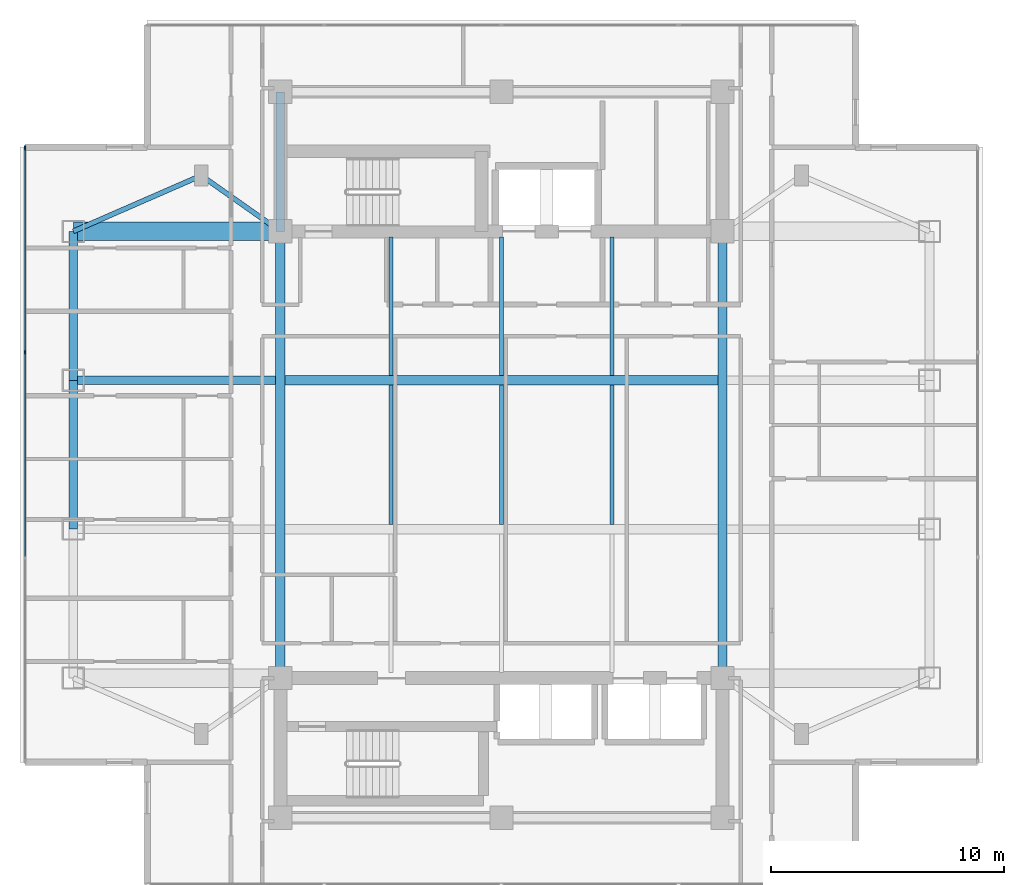
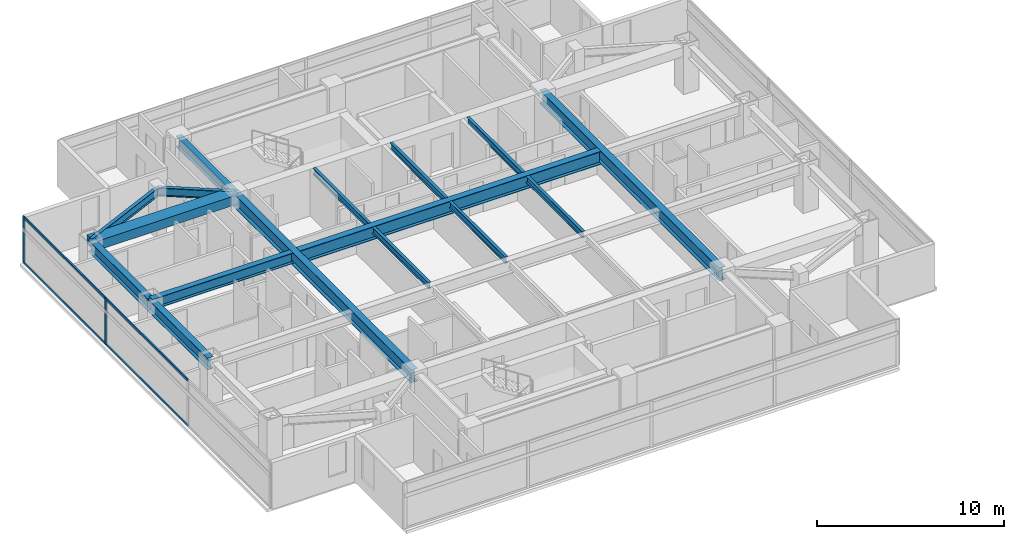
# One storey, part 3 of 24: 16 beams, 6 members, 1 element without a shape of its own.
"""IFC4 building model written with IfcOpenShell, lengths in metres."""

from ifc_helpers import new_model, si_unit, direction, frame, origin, origin_2d, place, context, subcontext, project, spatial, rectangle, i_section, extrude, material, material_profile, profile_set, type_object, element, aggregate, save


model = new_model("IFC4")

# Units and contexts
model_context = context("Model", 3, precision=1e-05, world=origin(), true_north=direction((0.0, 1.0)))
body_context = subcontext(model_context, "Body", "Model", "MODEL_VIEW")
ifc_project = project(units=[si_unit("LENGTHUNIT", "METRE"), si_unit("AREAUNIT", "SQUARE_METRE"), si_unit("VOLUMEUNIT", "CUBIC_METRE"), si_unit("PLANEANGLEUNIT", "RADIAN"), si_unit("MASSUNIT", "GRAM", prefix="KILO")], contexts=[model_context])

# Site, building, storey
site_placement = place(None, origin())
site = spatial("IfcSite", under=ifc_project, at=site_placement, CompositionType="ELEMENT")
building_placement = place(site_placement, origin())
building = spatial("IfcBuilding", under=site, at=building_placement, Name="Mirazonda Arch Towers", CompositionType="ELEMENT")
storey_placement = place(building_placement, frame((0.0, 0.0, 164.14990234375)))
storey = spatial("IfcBuildingStorey", under=building, at=storey_placement, Name="L46", CompositionType="ELEMENT", Elevation=164.14990234375)

# Beams
ifc_material_1 = material(Name="Steel ASTM A992 Grade 50", Category="steel")
ifc_material_profile_1 = material_profile(ifc_material_1, i_section(OverallWidth=0.381103515625, OverallDepth=0.77294921875, WebThickness=0.0166015625, FlangeThickness=0.027099609375, at=origin_2d()), Name="W30X173")
ifc_profile_set_1 = profile_set([ifc_material_profile_1], Name="Steel ASTM A992 Grade 50")
beam_type_1 = type_object("IfcBeamType", Name="BM-EXT-W30X173", PredefinedType="USERDEFINED", material=ifc_profile_set_1)
beam_1_placement = place(storey_placement, frame((2.10009765625, 24.800048828125, 2.66357421875), z_axis=(0.0, 1.0, 0.0), x_axis=(-1.0, 0.0, 0.0)))
element("IfcBeam", 1, at=beam_1_placement, inside=storey, type_object=beam_type_1, Name="L46 Floor Beam BM-T1-L46-NS-W-24", ObjectType="GIRDER", PredefinedType="USERDEFINED", context=body_context, shape_type="SweptSolid", body=[
    extrude(i_section(OverallWidth=0.381103515625, OverallDepth=0.77294921875, WebThickness=0.0166015625, FlangeThickness=0.027099609375, at=origin_2d()), origin(), (0.0, 0.0, 1.0), 6.39990234375),
])
beam_2_placement = place(storey_placement, frame((2.10009765625, 31.199951171875, 2.66357421875), z_axis=(0.0, 1.0, 0.0), x_axis=(-1.0, 0.0, 0.0)))
element("IfcBeam", 2, at=beam_2_placement, inside=storey, type_object=beam_type_1, Name="L46 Floor Beam BM-T1-L46-NS-W-31", ObjectType="GIRDER", PredefinedType="USERDEFINED", context=body_context, shape_type="SweptSolid", body=[
    extrude(i_section(OverallWidth=0.381103515625, OverallDepth=0.77294921875, WebThickness=0.0166015625, FlangeThickness=0.027099609375, at=origin_2d()), origin(), (0.0, 0.0, 1.0), 6.400146484375),
])
ifc_material_profile_2 = material_profile(ifc_material_1, i_section(OverallWidth=0.180908203125, OverallDepth=0.4169921875, WebThickness=0.010986328125, FlangeThickness=0.018310546875, at=origin_2d()), Name="W16X57")
ifc_profile_set_2 = profile_set([ifc_material_profile_2], Name="Steel ASTM A992 Grade 50")
beam_type_2 = type_object("IfcBeamType", Name="BM-INT-W16X57", PredefinedType="JOIST", material=ifc_profile_set_2)
beam_3_placement = place(storey_placement, frame((15.75, 31.39599609375, 2.841552734375), z_axis=(0.0, 1.0, 0.0), x_axis=(-1.0, 0.0, 0.0)))
element("IfcBeam", 3, at=beam_3_placement, inside=storey, type_object=beam_type_2, Name="L46 Floor Beam BM-T1-L46-J-157-31", PredefinedType="JOIST", context=body_context, shape_type="SweptSolid", body=[
    extrude(i_section(OverallWidth=0.180908203125, OverallDepth=0.4169921875, WebThickness=0.010986328125, FlangeThickness=0.018310546875, at=origin_2d()), origin(), (0.0, 0.0, 1.0), 5.964111328125),
])
beam_4_placement = place(storey_placement, frame((15.75, 24.99609375, 2.841552734375), z_axis=(0.0, 1.0, 0.0), x_axis=(-1.0, 0.0, 0.0)))
element("IfcBeam", 4, at=beam_4_placement, inside=storey, type_object=beam_type_2, Name="L46 Floor Beam BM-T1-L46-J-157-24", PredefinedType="JOIST", context=body_context, shape_type="SweptSolid", body=[
    extrude(i_section(OverallWidth=0.180908203125, OverallDepth=0.4169921875, WebThickness=0.010986328125, FlangeThickness=0.018310546875, at=origin_2d()), origin(), (0.0, 0.0, 1.0), 6.0078125),
])
beam_5_placement = place(storey_placement, frame((20.5, 31.39599609375, 2.841552734375), z_axis=(0.0, 1.0, 0.0), x_axis=(-1.0, 0.0, 0.0)))
element("IfcBeam", 5, at=beam_5_placement, inside=storey, type_object=beam_type_2, Name="L46 Floor Beam BM-T1-L46-J-205-31", PredefinedType="JOIST", context=body_context, shape_type="SweptSolid", body=[
    extrude(i_section(OverallWidth=0.180908203125, OverallDepth=0.4169921875, WebThickness=0.010986328125, FlangeThickness=0.018310546875, at=origin_2d()), origin(), (0.0, 0.0, 1.0), 5.964111328125),
])
beam_6_placement = place(storey_placement, frame((20.5, 24.99609375, 2.841552734375), z_axis=(0.0, 1.0, 0.0), x_axis=(-1.0, 0.0, 0.0)))
element("IfcBeam", 6, at=beam_6_placement, inside=storey, type_object=beam_type_2, Name="L46 Floor Beam BM-T1-L46-J-205-24", PredefinedType="JOIST", context=body_context, shape_type="SweptSolid", body=[
    extrude(i_section(OverallWidth=0.180908203125, OverallDepth=0.4169921875, WebThickness=0.010986328125, FlangeThickness=0.018310546875, at=origin_2d()), origin(), (0.0, 0.0, 1.0), 6.0078125),
])
beam_7_placement = place(storey_placement, frame((25.25, 31.39599609375, 2.841552734375), z_axis=(0.0, 1.0, 0.0), x_axis=(-1.0, 0.0, 0.0)))
element("IfcBeam", 7, at=beam_7_placement, inside=storey, type_object=beam_type_2, Name="L46 Floor Beam BM-T1-L46-J-252-31", PredefinedType="JOIST", context=body_context, shape_type="SweptSolid", body=[
    extrude(i_section(OverallWidth=0.180908203125, OverallDepth=0.4169921875, WebThickness=0.010986328125, FlangeThickness=0.018310546875, at=origin_2d()), origin(), (0.0, 0.0, 1.0), 5.964111328125),
])
beam_8_placement = place(storey_placement, frame((25.25, 24.99609375, 2.841552734375), z_axis=(0.0, 1.0, 0.0), x_axis=(-1.0, 0.0, 0.0)))
element("IfcBeam", 8, at=beam_8_placement, inside=storey, type_object=beam_type_2, Name="L46 Floor Beam BM-T1-L46-J-252-24", PredefinedType="JOIST", context=body_context, shape_type="SweptSolid", body=[
    extrude(i_section(OverallWidth=0.180908203125, OverallDepth=0.4169921875, WebThickness=0.010986328125, FlangeThickness=0.018310546875, at=origin_2d()), origin(), (0.0, 0.0, 1.0), 6.0078125),
])
ifc_material_profile_3 = material_profile(ifc_material_1, i_section(OverallWidth=0.214111328125, OverallDepth=0.549072265625, WebThickness=0.0146484375, FlangeThickness=0.023681640625, at=origin_2d()), Name="W21X93")
ifc_profile_set_3 = profile_set([ifc_material_profile_3], Name="Steel ASTM A992 Grade 50")
beam_type_3 = type_object("IfcBeamType", Name="BM-INT-W21X93", PredefinedType="BEAM", material=ifc_profile_set_3)
beam_9_placement = place(storey_placement, frame((7.60009765625, 40.0, 2.775634765625), z_axis=(0.816971114901, -0.576678591087, 0.0), x_axis=(0.576678591087, 0.816971114901, 0.0)))
element("IfcBeam", 9, at=beam_9_placement, inside=storey, type_object=beam_type_3, Name="L46 Floor Beam BM-T1-L46-PL-NW1", PredefinedType="BEAM", context=body_context, shape_type="SweptSolid", body=[
    extrude(i_section(OverallWidth=0.214111328125, OverallDepth=0.549072265625, WebThickness=0.0146484375, FlangeThickness=0.023681640625, at=origin_2d()), origin(), (0.0, 0.0, 1.0), 4.16162109375),
])
beam_10_placement = place(storey_placement, frame((7.60009765625, 40.0, 2.775634765625), z_axis=(-0.916545343703, -0.399930785183, 0.0), x_axis=(0.399930785183, -0.916545343703, 0.0)))
element("IfcBeam", 10, at=beam_10_placement, inside=storey, type_object=beam_type_3, Name="L46 Floor Beam BM-T1-L46-PL-NW2", PredefinedType="BEAM", context=body_context, shape_type="SweptSolid", body=[
    extrude(i_section(OverallWidth=0.214111328125, OverallDepth=0.549072265625, WebThickness=0.0146484375, FlangeThickness=0.023681640625, at=origin_2d()), origin(), (0.0, 0.0, 1.0), 6.000732421875),
])
ifc_material_profile_4 = material_profile(ifc_material_1, i_section(OverallWidth=0.35498046875, OverallDepth=0.696044921875, WebThickness=0.015380859375, FlangeThickness=0.02490234375, at=origin_2d()), Name="W27X146")
ifc_profile_set_4 = profile_set([ifc_material_profile_4], Name="Steel ASTM A992 Grade 50")
beam_type_4 = type_object("IfcBeamType", Name="BM-INT-W27X146", PredefinedType="BEAM", material=ifc_profile_set_4)
beam_11_placement = place(storey_placement, frame((2.10009765625, 31.199951171875, 2.7021484375), z_axis=(1.0, 0.0, 0.0), x_axis=(0.0, 1.0, 0.0)))
element("IfcBeam", 11, at=beam_11_placement, inside=storey, type_object=beam_type_4, Name="L46 Floor Beam BM-T1-L46-GW3", PredefinedType="BEAM", context=body_context, shape_type="SweptSolid", body=[
    extrude(i_section(OverallWidth=0.35498046875, OverallDepth=0.696044921875, WebThickness=0.015380859375, FlangeThickness=0.02490234375, at=origin_2d()), origin(), (0.0, 0.0, 1.0), 8.699951171875),
])
beam_12_placement = place(storey_placement, frame((11.0, 37.60009765625, 2.7021484375), z_axis=(0.0, 1.0, 0.0), x_axis=(-1.0, 0.0, 0.0)))
element("IfcBeam", 12, at=beam_12_placement, inside=storey, type_object=beam_type_4, Name="L46 Floor Beam BM-T1-L46-CNW", PredefinedType="BEAM", context=body_context, shape_type="SweptSolid", body=[
    extrude(i_section(OverallWidth=0.35498046875, OverallDepth=0.696044921875, WebThickness=0.015380859375, FlangeThickness=0.02490234375, at=origin_2d()), origin(), (0.0, 0.0, 1.0), 6.0),
])
ifc_material_profile_5 = material_profile(ifc_material_1, i_section(OverallWidth=0.39990234375, OverallDepth=0.85595703125, WebThickness=0.018310546875, FlangeThickness=0.029296875, at=origin_2d()), Name="W33X201")
ifc_profile_set_5 = profile_set([ifc_material_profile_5], Name="Steel ASTM A992 Grade 50")
beam_type_5 = type_object("IfcBeamType", Name="BM-INT-W33X201", PredefinedType="USERDEFINED", material=ifc_profile_set_5)
beam_13_placement = place(storey_placement, frame((11.199951171875, 31.199951171875, 2.6220703125), z_axis=(1.0, 0.0, 0.0), x_axis=(0.0, 1.0, 0.0)))
element("IfcBeam", 13, at=beam_13_placement, inside=storey, type_object=beam_type_5, Name="L46 Floor Beam BM-T1-L46-GC3", ObjectType="GIRDER", PredefinedType="USERDEFINED", context=body_context, shape_type="SweptSolid", body=[
    extrude(i_section(OverallWidth=0.39990234375, OverallDepth=0.85595703125, WebThickness=0.018310546875, FlangeThickness=0.029296875, at=origin_2d()), origin(), (0.0, 0.0, 1.0), 18.60009765625),
])
for number, where, z_axis, x_axis, name in (
    (14, (11.0, 18.39990234375, 2.6220703125), (0.0, 1.0, 0.0), (-1.0, 0.0, 0.0), "L46 Floor Beam BM-T1-L46-NS-CW-FULL"),
    (15, (30.0, 18.39990234375, 2.6220703125), (0.0, 1.0, 0.0), (-1.0, 0.0, 0.0), "L46 Floor Beam BM-T1-L46-NS-CE-FULL"),
):
    element("IfcBeam", number, at=place(storey_placement, frame(where, z_axis=z_axis, x_axis=x_axis)), inside=storey, type_object=beam_type_5, Name=name, ObjectType="GIRDER", PredefinedType="USERDEFINED", context=body_context, shape_type="SweptSolid", body=[
        extrude(i_section(OverallWidth=0.39990234375, OverallDepth=0.85595703125, WebThickness=0.018310546875, FlangeThickness=0.029296875, at=origin_2d()), origin(), (0.0, 0.0, 1.0), 19.2001953125),
    ])
ifc_material_2 = material(Name="Concrete C60/75", Category="concrete")
ifc_material_profile_6 = material_profile(ifc_material_2, rectangle(XDim=0.800048828125, YDim=0.60009765625, at=origin_2d()), Name="RCCB800x600")
ifc_profile_set_6 = profile_set([ifc_material_profile_6], Name="Concrete C60/75")
beam_type_6 = type_object("IfcBeamType", Name="CB-INT-RCCB800x600", PredefinedType="SPANDREL", material=ifc_profile_set_6)
beam_14_placement = place(storey_placement, frame((2.10009765625, 37.60009765625, 2.75), z_axis=(1.0, 0.0, 0.0), x_axis=(0.0, 1.0, 0.0)))
element("IfcBeam", 16, at=beam_14_placement, inside=storey, type_object=beam_type_6, Name="L46 Floor Beam CBC-T1-L46-NW", PredefinedType="SPANDREL", context=body_context, shape_type="SweptSolid", body=[
    extrude(rectangle(XDim=0.800048828125, YDim=0.60009765625, at=origin_2d()), origin(), (0.0, 0.0, 1.0), 8.89990234375),
])

# Curtain wall, members
ifc_material_3 = material(Name="Anodised Aluminium and Low-E Glass", Category="aluminium")
curtain_wall_type = type_object("IfcCurtainWallType", Name="CW-RES-UNIT", PredefinedType="NOTDEFINED", material=ifc_material_3)
curtain_wall_placement = place(storey_placement, origin())
curtain_wall = element("IfcCurtainWall", 17, at=curtain_wall_placement, inside=storey, type_object=curtain_wall_type, Name="L46 T1 W Facade CW-L46-T1-W", PredefinedType="NOTDEFINED")
ifc_material_4 = material(Name="Anodised Aluminium Alloy", Category="aluminium")
ifc_material_profile_7 = material_profile(ifc_material_4, rectangle(XDim=0.074951171875, YDim=0.175048828125, at=origin_2d()), Name="ALU-MULL-75x175")
ifc_profile_set_7 = profile_set([ifc_material_profile_7], Name="Anodised Aluminium Alloy")
member_type_1 = type_object("IfcMemberType", Name="MULL-CW-RES-UNIT", PredefinedType="MULLION", material=ifc_profile_set_7)
member_1_placement = place(storey_placement, frame((0.030029296875, 41.181396484375, 0.0), z_axis=(0.0, 0.0, 1.0), x_axis=(1.0, 0.0, 0.0)))
member_1 = element("IfcMember", 18, at=member_1_placement, type_object=member_type_1, Name="CW-104 mullion 1", PredefinedType="MULLION", context=body_context, shape_type="SweptSolid", body=[
    extrude(rectangle(XDim=0.074951171875, YDim=0.175048828125, at=origin_2d()), origin(), (0.0, 0.0, 1.0), 3.030029296875),
])
member_2_placement = place(storey_placement, frame((0.030029296875, 32.40625, 0.0), z_axis=(0.0, 0.0, 1.0), x_axis=(1.0, 0.0, 0.0)))
member_2 = element("IfcMember", 19, at=member_2_placement, type_object=member_type_1, Name="CW-104 mullion 2", PredefinedType="MULLION", context=body_context, shape_type="SweptSolid", body=[
    extrude(rectangle(XDim=0.074951171875, YDim=0.175048828125, at=origin_2d()), origin(), (0.0, 0.0, 1.0), 3.030029296875),
])
ifc_material_profile_8 = material_profile(ifc_material_4, rectangle(XDim=0.074951171875, YDim=0.155029296875, at=origin_2d()), Name="ALU-TRAN-75x155")
ifc_profile_set_8 = profile_set([ifc_material_profile_8], Name="Anodised Aluminium Alloy")
member_type_2 = type_object("IfcMemberType", Name="TRAN-CW-RES-UNIT", PredefinedType="USERDEFINED", material=ifc_profile_set_8)
member_3_placement = place(storey_placement, frame((0.030029296875, 41.14404296875, 0.03759765625), z_axis=(0.0, -1.0, 0.0), x_axis=(1.0, 0.0, 0.0)))
member_3 = element("IfcMember", 20, at=member_3_placement, type_object=member_type_2, Name="CW-104 transom 1.1", ObjectType="TRANSOM", PredefinedType="USERDEFINED", context=body_context, shape_type="SweptSolid", body=[
    extrude(rectangle(XDim=0.074951171875, YDim=0.155029296875, at=origin_2d()), origin(), (0.0, 0.0, 1.0), 8.7001953125),
])
member_4_placement = place(storey_placement, frame((0.030029296875, 41.14404296875, 2.99267578125), z_axis=(0.0, -1.0, 0.0), x_axis=(1.0, 0.0, 0.0)))
member_4 = element("IfcMember", 21, at=member_4_placement, type_object=member_type_2, Name="CW-104 transom 1.2", ObjectType="TRANSOM", PredefinedType="USERDEFINED", context=body_context, shape_type="SweptSolid", body=[
    extrude(rectangle(XDim=0.074951171875, YDim=0.155029296875, at=origin_2d()), origin(), (0.0, 0.0, 1.0), 8.7001953125),
])
member_5_placement = place(storey_placement, frame((0.030029296875, 32.368896484375, 0.03759765625), z_axis=(0.0, -1.0, 0.0), x_axis=(1.0, 0.0, 0.0)))
member_5 = element("IfcMember", 22, at=member_5_placement, type_object=member_type_2, Name="CW-104 transom 2.1", ObjectType="TRANSOM", PredefinedType="USERDEFINED", context=body_context, shape_type="SweptSolid", body=[
    extrude(rectangle(XDim=0.074951171875, YDim=0.155029296875, at=origin_2d()), origin(), (0.0, 0.0, 1.0), 8.73779296875),
])
member_6_placement = place(storey_placement, frame((0.030029296875, 32.368896484375, 2.99267578125), z_axis=(0.0, -1.0, 0.0), x_axis=(1.0, 0.0, 0.0)))
member_6 = element("IfcMember", 23, at=member_6_placement, type_object=member_type_2, Name="CW-104 transom 2.2", ObjectType="TRANSOM", PredefinedType="USERDEFINED", context=body_context, shape_type="SweptSolid", body=[
    extrude(rectangle(XDim=0.074951171875, YDim=0.155029296875, at=origin_2d()), origin(), (0.0, 0.0, 1.0), 8.73779296875),
])
aggregate(curtain_wall, [member_1, member_2, member_3, member_4, member_5, member_6])

save(model, "model.ifc")
